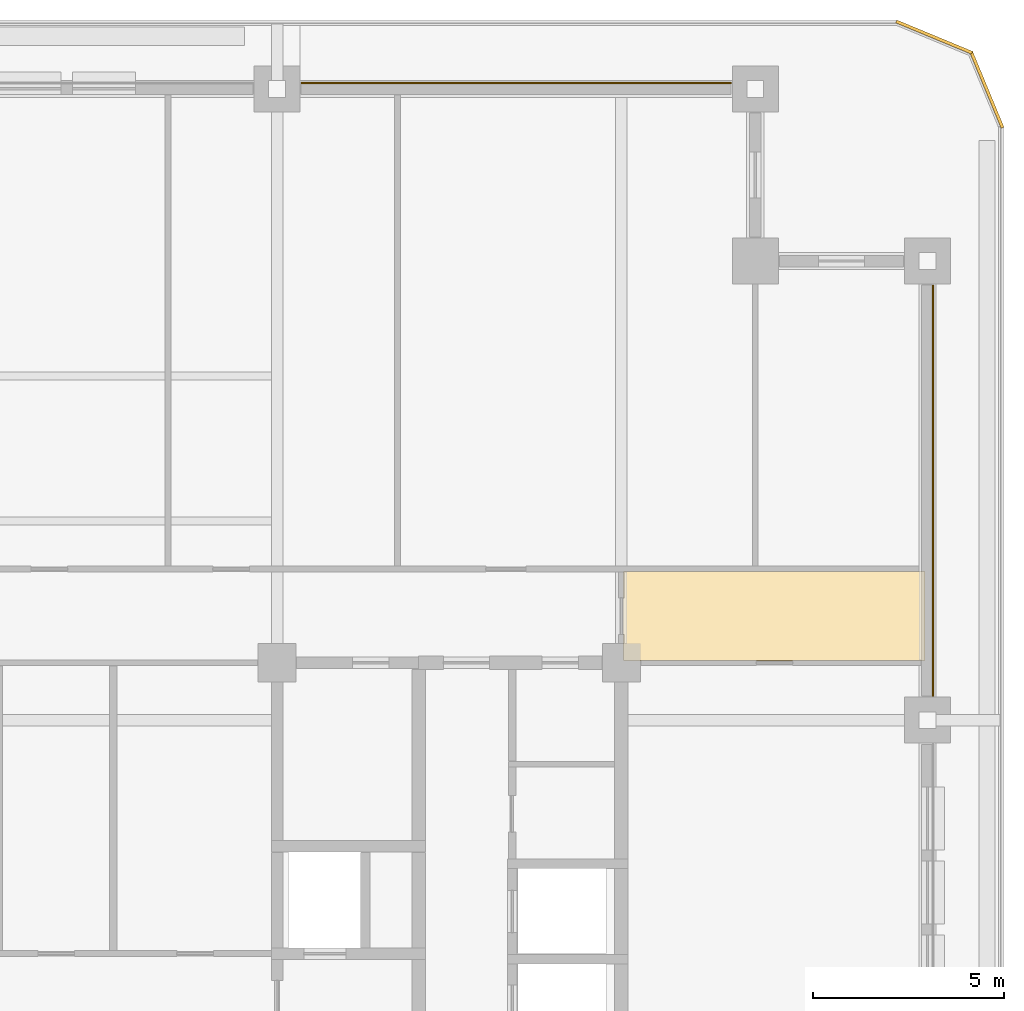
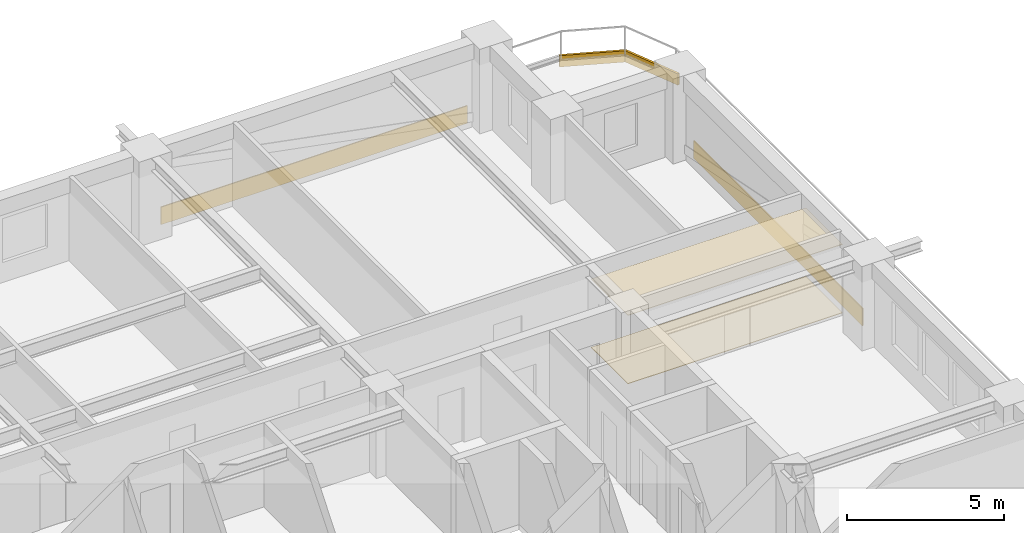
# One storey, part 14 of 14: 6 coverings.
"""IFC4 building model written with IfcOpenShell, lengths in metres."""

from ifc_helpers import new_model, si_unit, direction, frame, frame_2d, origin, place, context, subcontext, project, spatial, polyline, rectangle, outline, extrude, material, layer, layer_set, type_object, element, save


model = new_model("IFC4")

# Units and contexts
model_context = context("Model", 3, precision=1e-05, world=origin(), true_north=direction((0.0, 1.0)))
body_context = subcontext(model_context, "Body", "Model", "MODEL_VIEW")
ifc_project = project(units=[si_unit("LENGTHUNIT", "METRE"), si_unit("AREAUNIT", "SQUARE_METRE"), si_unit("VOLUMEUNIT", "CUBIC_METRE"), si_unit("PLANEANGLEUNIT", "RADIAN"), si_unit("MASSUNIT", "GRAM", prefix="KILO")], contexts=[model_context])

# Site, building, storey
site_placement = place(None, origin())
site = spatial("IfcSite", under=ifc_project, at=site_placement, CompositionType="ELEMENT")
building_placement = place(site_placement, origin())
building = spatial("IfcBuilding", under=site, at=building_placement, Name="Zulmaris Gate Convention Tower", CompositionType="ELEMENT")
storey_placement = place(building_placement, frame((0.0, 0.0, 94.929931640625)))
storey = spatial("IfcBuildingStorey", under=building, at=storey_placement, Name="L23", CompositionType="ELEMENT", Elevation=94.929931640625)

# Coverings
ifc_material_1 = material(Name="Precast concrete C40/50", Category="concrete")
ifc_layer_1 = layer(ifc_material_1, 0.0400390625, Name="Precast concrete C40/50")
ifc_layer_set_1 = layer_set([ifc_layer_1], Name="Precast concrete C40/50")
covering_type_1 = type_object("IfcCoveringType", Name="CLAD-SPANDREL-PRECAST", PredefinedType="CLADDING", material=ifc_layer_set_1)
covering_1_placement = place(storey_placement, frame((22.8701171875, 25.64990234375, 0.0), z_axis=(0.0, 0.0, 1.0), x_axis=(-1.0, 0.0, 0.0)))
element("IfcCovering", 1, at=covering_1_placement, inside=storey, type_object=covering_type_1, Name="CLD-L23-N-3_0", PredefinedType="CLADDING", context=body_context, shape_type="SweptSolid", body=[
    extrude(rectangle(XDim=11.240234375, YDim=0.0400390625, at=frame_2d((5.6201171875, 0.0))), origin(), (0.0, 0.0, 1.0), 0.679931640625),
])
covering_2_placement = place(storey_placement, frame((28.14990234375, 9.6298828125, 0.0), z_axis=(0.0, 0.0, 1.0), x_axis=(0.0, 1.0, 0.0)))
element("IfcCovering", 2, at=covering_2_placement, inside=storey, type_object=covering_type_1, Name="CLD-L23-E-3_0", PredefinedType="CLADDING", context=body_context, shape_type="SweptSolid", body=[
    extrude(rectangle(XDim=10.740234375, YDim=0.0400390625, at=frame_2d((5.3701171875, 0.0))), origin(), (0.0, 0.0, 1.0), 0.679931640625),
])
ifc_material_2 = material(Name="White Glazed Architectural Precast Concrete C40/50", Category="concrete")
ifc_layer_2 = layer(ifc_material_2, 0.080078125, Name="White Glazed Architectural Precast Concrete C40/50")
ifc_layer_set_2 = layer_set([ifc_layer_2], Name="White Glazed Architectural Precast Concrete C40/50")
covering_type_2 = type_object("IfcCoveringType", Name="CLAD-TRAY-FASCIA", PredefinedType="CLADDING", material=ifc_layer_set_2)
covering_3_placement = place(storey_placement, frame((29.962890625, 24.484619140625, -0.2900390625), z_axis=(0.0, 0.0, 1.0), x_axis=(-0.382656984709, 0.923890487046, 0.0)))
element("IfcCovering", 3, at=covering_3_placement, inside=storey, type_object=covering_type_2, Name="FSC-L23-TR-06", PredefinedType="CLADDING", context=body_context, shape_type="SweptSolid", body=[
    extrude(rectangle(XDim=2.14306640625, YDim=0.080078125, at=frame_2d((1.071533203125, 0.0))), origin(), (0.0, 0.0, 1.0), 0.43994140625),
])
covering_4_placement = place(storey_placement, frame((29.16455078125, 26.44287109375, -0.2900390625), z_axis=(0.0, 0.0, 1.0), x_axis=(-0.923873803533, 0.382697263049, 0.0)))
element("IfcCovering", 4, at=covering_4_placement, inside=storey, type_object=covering_type_2, Name="FSC-L23-TR-07", PredefinedType="CLADDING", context=body_context, shape_type="SweptSolid", body=[
    extrude(rectangle(XDim=2.142822265625, YDim=0.080078125, at=frame_2d((1.0712890625, 0.0))), origin(), (0.0, 0.0, 1.0), 0.43994140625),
])
ifc_material_3 = material(Name="Mineral Fibre Acoustic Ceiling Tile")
ifc_layer_3 = layer(ifc_material_3, 0.02001953125, Name="Mineral Fibre Acoustic Ceiling Tile")
ifc_layer_set_3 = layer_set([ifc_layer_3], Name="Mineral Fibre Acoustic Ceiling Tile")
covering_type_3 = type_object("IfcCoveringType", Name="CLG-ACOUSTIC-600", PredefinedType="CEILING", material=ifc_layer_set_3)
covering_5_placement = place(storey_placement, frame((0.0, 0.0, 2.655029296875)))
element("IfcCovering", 5, at=covering_5_placement, inside=storey, type_object=covering_type_3, Name="CLG-L23-R52", PredefinedType="CEILING", context=body_context, shape_type="SweptSolid", body=[
    extrude(outline(polyline([(20.06005859375, 10.56005859375), (27.93994140625, 10.56005859375), (27.93994140625, 12.889892578125), (20.06005859375, 12.889892578125), (20.06005859375, 10.56005859375)])), origin(), (0.0, 0.0, 1.0), 0.02001953125),
])
ifc_material_4 = material(Name="Woven Acoustic Wool Carpet Tile")
ifc_layer_4 = layer(ifc_material_4, 0.02001953125, Name="Woven Acoustic Wool Carpet Tile")
ifc_layer_set_4 = layer_set([ifc_layer_4], Name="Woven Acoustic Wool Carpet Tile")
covering_type_4 = type_object("IfcCoveringType", Name="FLR-CARPET-12", PredefinedType="FLOORING", material=ifc_layer_set_4)
covering_6_placement = place(storey_placement, origin())
element("IfcCovering", 6, at=covering_6_placement, inside=storey, type_object=covering_type_4, Name="FLR-L23-R52", PredefinedType="FLOORING", context=body_context, shape_type="SweptSolid", body=[
    extrude(outline(polyline([(20.06005859375, 10.56005859375), (27.93994140625, 10.56005859375), (27.93994140625, 12.889892578125), (20.06005859375, 12.889892578125), (20.06005859375, 10.56005859375)])), origin(), (0.0, 0.0, 1.0), 0.02001953125),
])

save(model, "model.ifc")
